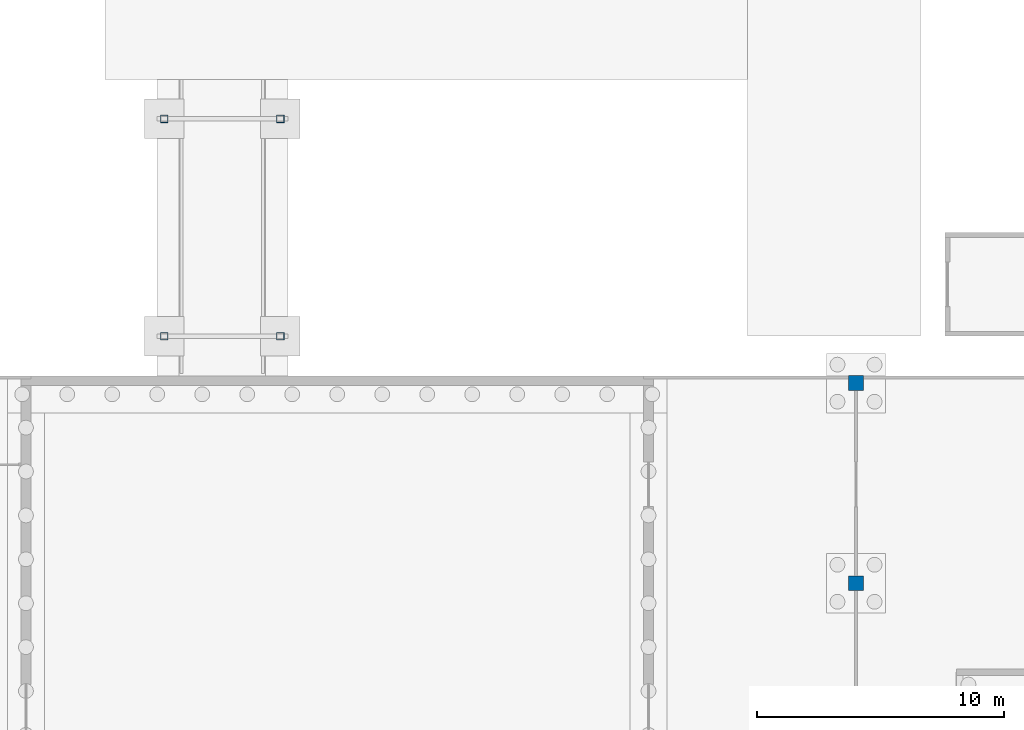
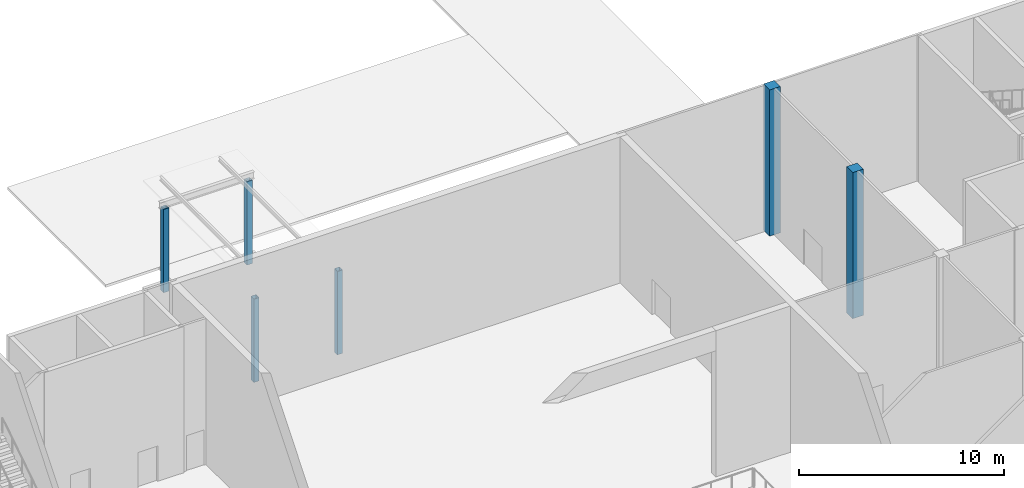
# One storey, part 11 of 72: 6 columns.
"""IFC4 building model written with IfcOpenShell, lengths in metres."""

from ifc_helpers import new_model, si_unit, direction, frame, origin, origin_2d, place, context, subcontext, project, spatial, rectangle, hollow_rectangle, extrude, material, material_profile, profile_set, type_object, element, save


model = new_model("IFC4")

# Units and contexts
model_context = context("Model", 3, precision=1e-05, world=origin(), true_north=direction((0.0, 1.0)))
body_context = subcontext(model_context, "Body", "Model", "MODEL_VIEW")
ifc_project = project(units=[si_unit("LENGTHUNIT", "METRE"), si_unit("AREAUNIT", "SQUARE_METRE"), si_unit("VOLUMEUNIT", "CUBIC_METRE"), si_unit("PLANEANGLEUNIT", "RADIAN"), si_unit("MASSUNIT", "GRAM", prefix="KILO")], contexts=[model_context])

# Site, building, storey
site_placement = place(None, origin())
site = spatial("IfcSite", under=ifc_project, at=site_placement, CompositionType="ELEMENT")
building_placement = place(site_placement, origin())
building = spatial("IfcBuilding", under=site, at=building_placement, Name="Candeia Pilgrim Tower and Theatre", CompositionType="ELEMENT")
storey_placement = place(building_placement, origin())
storey = spatial("IfcBuildingStorey", under=building, at=storey_placement, Name="L00", CompositionType="ELEMENT", Elevation=0.0)

# Columns
ifc_material_1 = material(Name="Steel S355", Category="steel")
ifc_material_profile_1 = material_profile(ifc_material_1, hollow_rectangle(XDim=0.300048828125, YDim=0.300048828125, WallThickness=0.012451171875, at=origin_2d()))
ifc_profile_set_1 = profile_set([ifc_material_profile_1], Name="Steel S355")
column_type_1 = type_object("IfcColumnType", Name="Arcade column SHS 300x300x12.5", PredefinedType="COLUMN", material=ifc_profile_set_1)
for number, where, z_axis, x_axis, name in (
    (1, (198.39990234375, 118.0, -0.199951171875), (0.0, 0.0, 1.0), (1.0, 0.0, 0.0), "Loading canopy column 1"),
    (2, (203.10009765625, 118.0, -0.199951171875), (0.0, 0.0, 1.0), (1.0, 0.0, 0.0), "Loading canopy column 2"),
    (3, (198.39990234375, 126.800048828125, -0.199951171875), (0.0, 0.0, 1.0), (1.0, 0.0, 0.0), "Loading canopy column 3"),
    (4, (203.10009765625, 126.800048828125, -0.199951171875), (0.0, 0.0, 1.0), (1.0, 0.0, 0.0), "Loading canopy column 4"),
):
    element("IfcColumn", number, at=place(storey_placement, frame(where, z_axis=z_axis, x_axis=x_axis)), inside=storey, type_object=column_type_1, Name=name, PredefinedType="COLUMN", context=body_context, shape_type="SweptSolid", body=[
        extrude(hollow_rectangle(XDim=0.300048828125, YDim=0.300048828125, WallThickness=0.012451171875, at=origin_2d()), origin(), (0.0, 0.0, 1.0), 4.9599609375),
    ])
ifc_material_2 = material(Name="Concrete C40/50", Category="concrete")
ifc_material_profile_2 = material_profile(ifc_material_2, rectangle(XDim=0.60009765625, YDim=0.60009765625, at=origin_2d()))
ifc_profile_set_2 = profile_set([ifc_material_profile_2], Name="Concrete C40/50")
column_type_2 = type_object("IfcColumnType", Name="Theatre column 600x600", PredefinedType="COLUMN", material=ifc_profile_set_2)
for number, where, z_axis, x_axis, name in (
    (5, (226.39990234375, 108.0, 0.0), (0.0, 0.0, 1.0), (1.0, 0.0, 0.0), "Column TC-F7 L00"),
    (6, (226.39990234375, 116.10009765625, 0.0), (0.0, 0.0, 1.0), (1.0, 0.0, 0.0), "Column TC-G7 L00"),
):
    element("IfcColumn", number, at=place(storey_placement, frame(where, z_axis=z_axis, x_axis=x_axis)), inside=storey, type_object=column_type_2, Name=name, PredefinedType="COLUMN", context=body_context, shape_type="SweptSolid", body=[
        extrude(rectangle(XDim=0.60009765625, YDim=0.60009765625, at=origin_2d()), origin(), (0.0, 0.0, 1.0), 8.699951171875),
    ])

save(model, "model.ifc")
